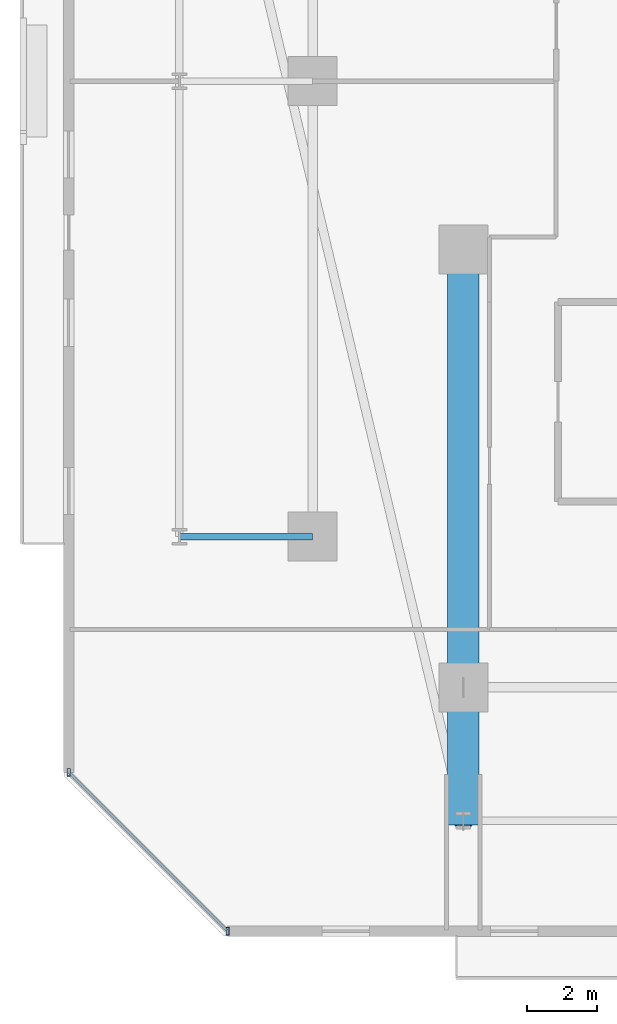
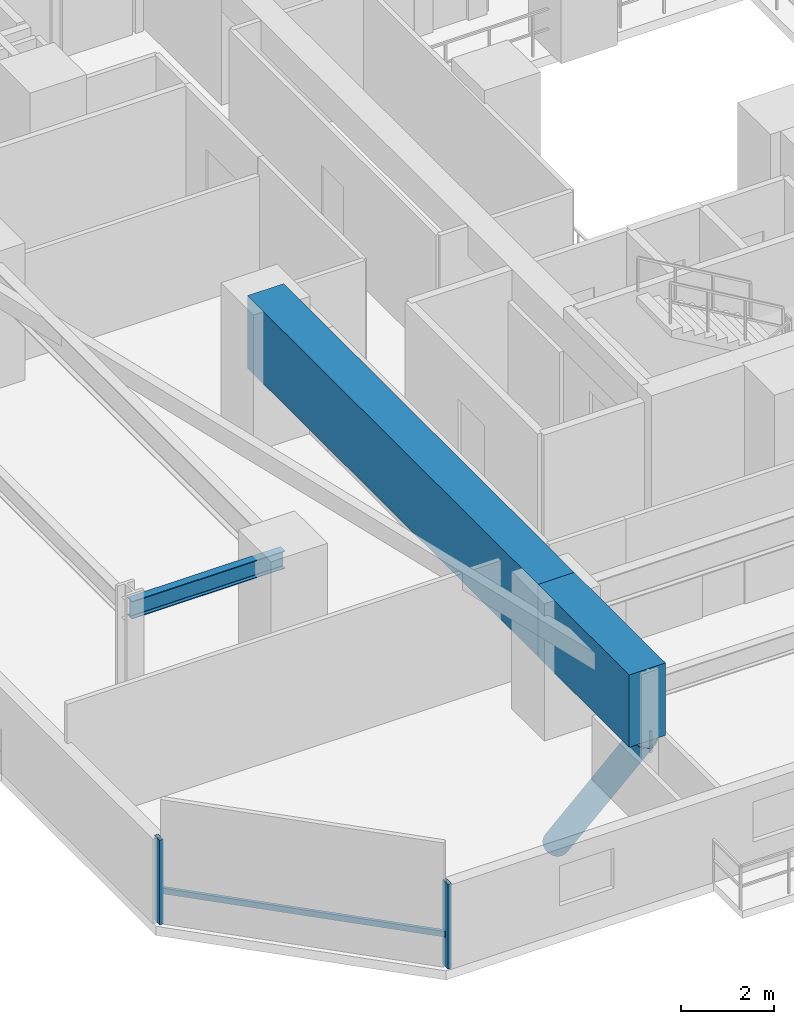
# One storey, part 3 of 36: 4 members, 3 beams, 1 element without a shape of its own.
"""IFC4 building model written with IfcOpenShell, lengths in metres."""

from ifc_helpers import new_model, si_unit, direction, frame, origin, origin_2d, place, context, subcontext, project, spatial, rectangle, hollow_rectangle, hollow_circle, i_section, extrude, material, material_profile, profile_set, type_object, element, aggregate, save


model = new_model("IFC4")

# Units and contexts
model_context = context("Model", 3, precision=1e-05, world=origin(), true_north=direction((0.0, 1.0)))
body_context = subcontext(model_context, "Body", "Model", "MODEL_VIEW")
ifc_project = project(units=[si_unit("LENGTHUNIT", "METRE"), si_unit("AREAUNIT", "SQUARE_METRE"), si_unit("VOLUMEUNIT", "CUBIC_METRE"), si_unit("PLANEANGLEUNIT", "RADIAN"), si_unit("MASSUNIT", "GRAM", prefix="KILO")], contexts=[model_context])

# Site, building, storey
site_placement = place(None, origin())
site = spatial("IfcSite", under=ifc_project, at=site_placement, CompositionType="ELEMENT")
building_placement = place(site_placement, origin())
building = spatial("IfcBuilding", under=site, at=building_placement, Name="Thornwick Lancets Civic Towers", CompositionType="ELEMENT")
storey_placement = place(building_placement, frame((0.0, 0.0, 45.89990234375)))
storey = spatial("IfcBuildingStorey", under=building, at=storey_placement, Name="L11", CompositionType="ELEMENT", Elevation=45.89990234375)

# Beams
ifc_material_1 = material(Name="Steel S355JR", Category="steel")
ifc_material_profile_1 = material_profile(ifc_material_1, i_section(OverallWidth=0.19189453125, OverallDepth=0.46337890625, WebThickness=0.010498046875, FlangeThickness=0.017578125, FilletRadius=0.01025390625, at=origin_2d()), Name="UKB 457x191x89")
ifc_profile_set_1 = profile_set([ifc_material_profile_1], Name="Steel S355JR")
beam_type_1 = type_object("IfcBeamType", Name="BM_JOIST_457_89", PredefinedType="JOIST", material=ifc_profile_set_1)
beam_1_placement = place(storey_placement, frame((8.199951171875, 14.0, 3.04833984375), z_axis=(-1.0, 0.0, 0.0), x_axis=(0.0, -1.0, 0.0)))
element("IfcBeam", 1, at=beam_1_placement, inside=storey, type_object=beam_type_1, Name="BM-RAD-L11-A10", PredefinedType="JOIST", context=body_context, shape_type="SweptSolid", body=[
    extrude(i_section(OverallWidth=0.19189453125, OverallDepth=0.46337890625, WebThickness=0.010498046875, FlangeThickness=0.017578125, FilletRadius=0.01025390625, at=origin_2d()), origin(), (0.0, 0.0, 1.0), 3.800048828125),
])
ifc_material_2 = material(Name="Concrete C60/75", Category="concrete")
ifc_material_profile_2 = material_profile(ifc_material_2, rectangle(XDim=0.89990234375, YDim=1.89990234375, at=origin_2d()), Name="RC 900x1900")
ifc_profile_set_2 = profile_set([ifc_material_profile_2], Name="Concrete C60/75")
beam_type_2 = type_object("IfcBeamType", Name="BM_TR_RC1900", PredefinedType="BEAM", material=ifc_profile_set_2)
beam_2_placement = place(storey_placement, frame((12.5, 22.199951171875, 2.650146484375), z_axis=(0.0, -1.0, 0.0), x_axis=(1.0, 0.0, 0.0)))
element("IfcBeam", 2, at=beam_2_placement, inside=storey, type_object=beam_type_2, Name="TG-BACK-L12-A01", PredefinedType="BEAM", context=body_context, shape_type="SweptSolid", body=[
    extrude(rectangle(XDim=0.89990234375, YDim=1.89990234375, at=origin_2d()), origin(), (0.0, 0.0, 1.0), 12.5),
])
beam_3_placement = place(storey_placement, frame((12.5, 9.699951171875, 2.650146484375), z_axis=(0.0, -1.0, 0.0), x_axis=(1.0, 0.0, 0.0)))
element("IfcBeam", 3, at=beam_3_placement, inside=storey, type_object=beam_type_2, Name="TG-CANT-L12-A01", PredefinedType="BEAM", context=body_context, shape_type="SweptSolid", body=[
    extrude(rectangle(XDim=0.89990234375, YDim=1.89990234375, at=origin_2d()), origin(), (0.0, 0.0, 1.0), 3.919921875),
])

# Curtain wall, members
ifc_material_3 = material(Name="Low-zone chamfered-corner unitised glass curtain wall", Category="glass")
curtain_wall_type = type_object("IfcCurtainWallType", Name="CW_SYS_03", PredefinedType="NOTDEFINED", material=ifc_material_3)
curtain_wall_placement = place(storey_placement, origin())
curtain_wall = element("IfcCurtainWall", 4, at=curtain_wall_placement, inside=storey, type_object=curtain_wall_type, Name="L11 Curtain Wall CW-L11-A-E7", PredefinedType="NOTDEFINED")
ifc_material_4 = material(Name="Thermally broken bronze aluminium S355", Category="steel")
ifc_material_profile_3 = material_profile(ifc_material_4, hollow_rectangle(XDim=0.090087890625, YDim=0.219970703125, WallThickness=0.00634765625, at=origin_2d()), Name="RHS 220x90x6.3")
ifc_profile_set_3 = profile_set([ifc_material_profile_3], Name="Thermally broken bronze aluminium S355")
member_type_1 = type_object("IfcMemberType", Name="CW_MUL_220", PredefinedType="MULLION", material=ifc_profile_set_3)
member_1_placement = place(storey_placement, frame((1.241455078125, 7.275390625, 0.0), z_axis=(0.0, 0.0, 1.0), x_axis=(1.0, 0.0, 0.0)))
member_1 = element("IfcMember", 5, at=member_1_placement, type_object=member_type_1, Name="CW-L11-A-E7 Mullion 0", PredefinedType="MULLION", context=body_context, shape_type="SweptSolid", body=[
    extrude(hollow_rectangle(XDim=0.090087890625, YDim=0.219970703125, WallThickness=0.00634765625, at=origin_2d()), origin(), (0.0, 0.0, 1.0), 2.22021484375),
])
member_2_placement = place(storey_placement, frame((5.775390625, 2.741455078125, 0.0), z_axis=(0.0, 0.0, 1.0), x_axis=(1.0, 0.0, 0.0)))
member_2 = element("IfcMember", 6, at=member_2_placement, type_object=member_type_1, Name="CW-L11-A-E7 Mullion 1", PredefinedType="MULLION", context=body_context, shape_type="SweptSolid", body=[
    extrude(hollow_rectangle(XDim=0.090087890625, YDim=0.219970703125, WallThickness=0.00634765625, at=origin_2d()), origin(), (0.0, 0.0, 1.0), 2.22021484375),
])
ifc_material_profile_4 = material_profile(ifc_material_4, hollow_rectangle(XDim=0.074951171875, YDim=0.14990234375, WallThickness=0.0048828125, at=origin_2d()), Name="RHS 150x75x5")
ifc_profile_set_4 = profile_set([ifc_material_profile_4], Name="Thermally broken bronze aluminium S355")
member_type_2 = type_object("IfcMemberType", Name="CW_TRN_150", PredefinedType="USERDEFINED", material=ifc_profile_set_4)
member_3_placement = place(storey_placement, frame((1.255615234375, 7.26123046875, 0.85009765625), z_axis=(0.707106781187, -0.707106781187, 0.0), x_axis=(0.707106781187, 0.707106781187, 0.0)))
member_3 = element("IfcMember", 7, at=member_3_placement, type_object=member_type_2, Name="CW-L11-A-E7 Transom 0", ObjectType="TRANSOM", PredefinedType="USERDEFINED", context=body_context, shape_type="SweptSolid", body=[
    extrude(hollow_rectangle(XDim=0.074951171875, YDim=0.14990234375, WallThickness=0.0048828125, at=origin_2d()), origin(), (0.0, 0.0, 1.0), 6.371826171875),
])
aggregate(curtain_wall, [member_1, member_2, member_3])

# Member
ifc_material_5 = material(Name="Steel S460M", Category="steel")
ifc_material_profile_5 = material_profile(ifc_material_5, hollow_circle(Radius=0.304931640625, WallThickness=0.030029296875, at=origin_2d()), Name="CHS 610x30")
ifc_profile_set_5 = profile_set([ifc_material_profile_5], Name="Steel S460M")
member_type_3 = type_object("IfcMemberType", Name="MEM_STRUT_CHS610", PredefinedType="STRUT", material=ifc_profile_set_5)
member_4_placement = place(storey_placement, frame((12.5, 9.699951171875, -3.349853515625), z_axis=(0.0, -0.595241268987, 0.803547031414), x_axis=(1.0, 0.0, 0.0)))
element("IfcMember", 8, at=member_4_placement, inside=storey, type_object=member_type_3, Name="L12 Jenga Transfer Raking Strut A01", PredefinedType="STRUT", context=body_context, shape_type="SweptSolid", body=[
    extrude(hollow_circle(Radius=0.304931640625, WallThickness=0.030029296875, at=origin_2d()), origin(), (0.0, 0.0, 1.0), 6.384033203125),
])

save(model, "model.ifc")
